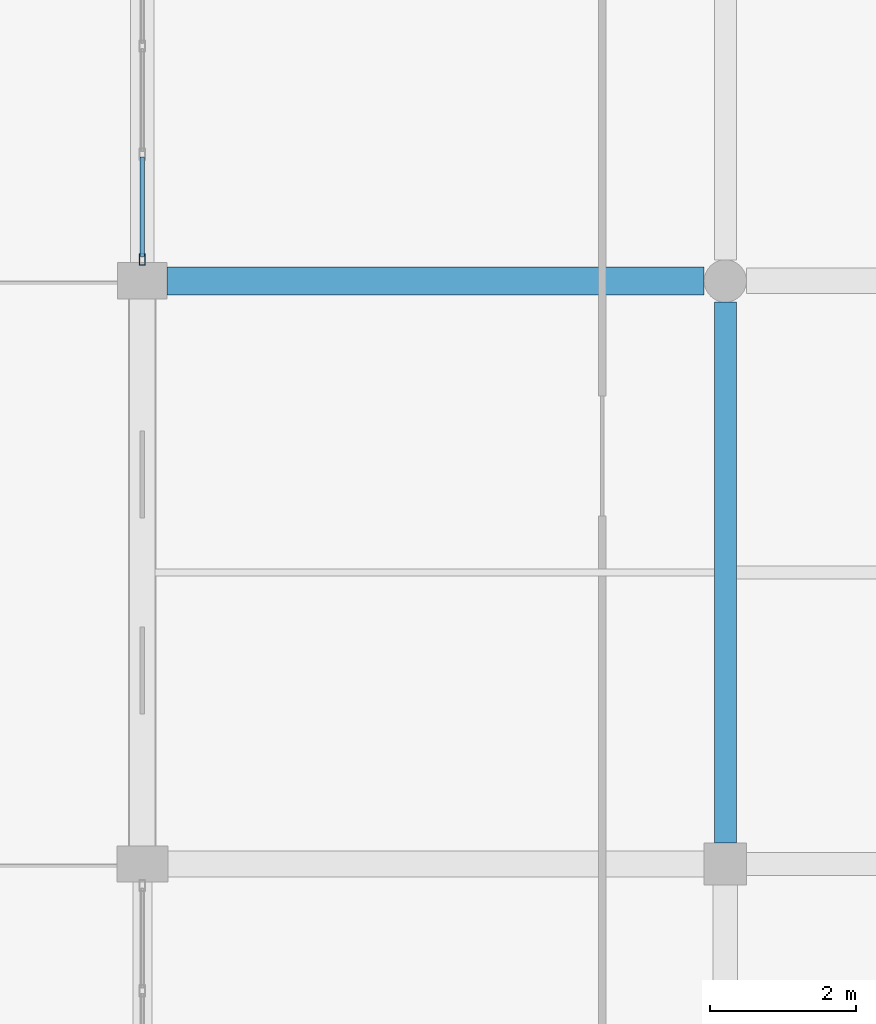
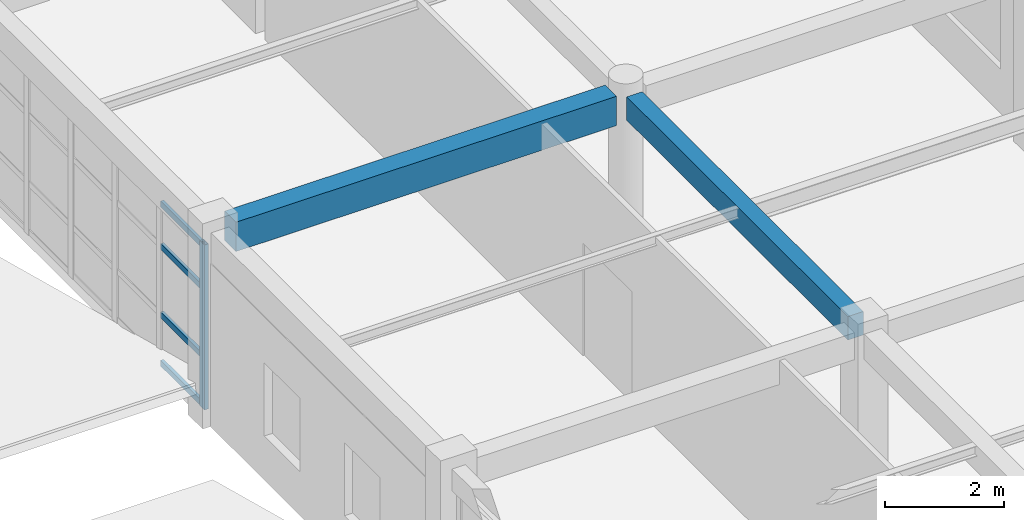
# One storey, part 31 of 121: 5 members, 2 beams, 1 element without a shape of its own.
"""IFC4 building model written with IfcOpenShell, lengths in metres."""

from ifc_helpers import new_model, si_unit, direction, frame, origin, origin_2d, place, context, subcontext, project, spatial, rectangle, hollow_rectangle, extrude, material, material_profile, profile_set, type_object, element, aggregate, save


model = new_model("IFC4")

# Units and contexts
model_context = context("Model", 3, precision=1e-05, world=origin(), true_north=direction((0.0, 1.0)))
body_context = subcontext(model_context, "Body", "Model", "MODEL_VIEW")
ifc_project = project(units=[si_unit("LENGTHUNIT", "METRE"), si_unit("AREAUNIT", "SQUARE_METRE"), si_unit("VOLUMEUNIT", "CUBIC_METRE"), si_unit("PLANEANGLEUNIT", "RADIAN"), si_unit("MASSUNIT", "GRAM", prefix="KILO")], contexts=[model_context])

# Site, building, storey
site_placement = place(None, origin())
site = spatial("IfcSite", under=ifc_project, at=site_placement, CompositionType="ELEMENT")
building_placement = place(site_placement, origin())
building = spatial("IfcBuilding", under=site, at=building_placement, Name="Kharva Crest Polytechnic", CompositionType="ELEMENT")
storey_placement = place(building_placement, frame((0.0, 0.0, 13.199951171875)))
storey = spatial("IfcBuildingStorey", under=building, at=storey_placement, Name="L03", CompositionType="ELEMENT", Elevation=13.199951171875)

# Beams
ifc_material_1 = material(Name="Concrete C35/45", Category="concrete")
ifc_material_profile_1 = material_profile(ifc_material_1, rectangle(XDim=0.300048828125, YDim=0.47998046875, at=origin_2d()), Name="RECT 300 X 480")
ifc_profile_set_1 = profile_set([ifc_material_profile_1], Name="Concrete C35/45")
beam_type_1 = type_object("IfcBeamType", Name="BM-RC-300X480", PredefinedType="BEAM", material=ifc_profile_set_1)
beam_1_placement = place(storey_placement, frame((40.0, 55.090087890625, 3.719970703125), z_axis=(0.0, 1.0, 0.0), x_axis=(-1.0, 0.0, 0.0)))
element("IfcBeam", 1, at=beam_1_placement, inside=storey, type_object=beam_type_1, Name="L03 Girder 6/H-J", PredefinedType="BEAM", context=body_context, shape_type="SweptSolid", body=[
    extrude(rectangle(XDim=0.300048828125, YDim=0.47998046875, at=origin_2d()), origin(), (0.0, 0.0, 1.0), 7.419921875),
])
ifc_material_profile_2 = material_profile(ifc_material_1, rectangle(XDim=0.3798828125, YDim=0.60009765625, at=origin_2d()), Name="RECT 380 X 600")
ifc_profile_set_2 = profile_set([ifc_material_profile_2], Name="Concrete C35/45")
beam_type_2 = type_object("IfcBeamType", Name="BM-RC-380X600", PredefinedType="BEAM", material=ifc_profile_set_2)
beam_2_placement = place(storey_placement, frame((32.340087890625, 62.800048828125, 3.66015625), z_axis=(1.0, 0.0, 0.0), x_axis=(0.0, 1.0, 0.0)))
element("IfcBeam", 2, at=beam_2_placement, inside=storey, type_object=beam_type_2, Name="L03 Beam J/5-6", PredefinedType="BEAM", context=body_context, shape_type="SweptSolid", body=[
    extrude(rectangle(XDim=0.3798828125, YDim=0.60009765625, at=origin_2d()), origin(), (0.0, 0.0, 1.0), 7.369873046875),
])

# Curtain wall, members
ifc_material_2 = material(Name="Tempered insulated glass", Category="glass")
curtain_wall_type = type_object("IfcCurtainWallType", Name="CW-SYS-COURT", PredefinedType="USERDEFINED", material=ifc_material_2)
curtain_wall_placement = place(storey_placement, origin())
curtain_wall = element("IfcCurtainWall", 3, at=curtain_wall_placement, inside=storey, type_object=curtain_wall_type, Name="L03 Glazed Curtain Wall CW-167", ObjectType="CURTAIN WALL", PredefinedType="USERDEFINED")
ifc_material_3 = material(Name="Steel S355", Category="steel")
ifc_material_profile_3 = material_profile(ifc_material_3, hollow_rectangle(XDim=0.080078125, YDim=0.159912109375, WallThickness=0.0048828125, at=origin_2d()), Name="RHS 160X80X5.0")
ifc_profile_set_3 = profile_set([ifc_material_profile_3], Name="Steel S355")
member_type_1 = type_object("IfcMemberType", Name="CWM-RHS160X80", PredefinedType="MULLION", material=ifc_profile_set_3)
member_1_placement = place(storey_placement, frame((32.0, 63.094970703125, 0.0), z_axis=(0.0, 0.0, 1.0), x_axis=(1.0, 0.0, 0.0)))
member_1 = element("IfcMember", 4, at=member_1_placement, type_object=member_type_1, Name="CW-167 mullion 6", PredefinedType="MULLION", context=body_context, shape_type="SweptSolid", body=[
    extrude(hollow_rectangle(XDim=0.080078125, YDim=0.159912109375, WallThickness=0.0048828125, at=origin_2d()), origin(), (0.0, 0.0, 1.0), 3.380126953125),
])
ifc_material_profile_4 = material_profile(ifc_material_3, hollow_rectangle(XDim=0.06005859375, YDim=0.1201171875, WallThickness=0.00390625, at=origin_2d()), Name="RHS 120X60X4.0")
ifc_profile_set_4 = profile_set([ifc_material_profile_4], Name="Steel S355")
member_type_2 = type_object("IfcMemberType", Name="CWT-RHS120X60", PredefinedType="USERDEFINED", material=ifc_profile_set_4)
member_2_placement = place(storey_placement, frame((32.0, 64.4990234375, 0.06005859375), z_axis=(0.0, -1.0, 0.0), x_axis=(1.0, 0.0, 0.0)))
member_2 = element("IfcMember", 5, at=member_2_placement, type_object=member_type_2, Name="CW-167 transom 5.1", ObjectType="TRANSOM", PredefinedType="USERDEFINED", context=body_context, shape_type="SweptSolid", body=[
    extrude(hollow_rectangle(XDim=0.06005859375, YDim=0.1201171875, WallThickness=0.00390625, at=origin_2d()), origin(), (0.0, 0.0, 1.0), 1.364013671875),
])
member_3_placement = place(storey_placement, frame((32.0, 64.4990234375, 1.050048828125), z_axis=(0.0, -1.0, 0.0), x_axis=(1.0, 0.0, 0.0)))
member_3 = element("IfcMember", 6, at=member_3_placement, type_object=member_type_2, Name="CW-167 transom 5.2", ObjectType="TRANSOM", PredefinedType="USERDEFINED", context=body_context, shape_type="SweptSolid", body=[
    extrude(hollow_rectangle(XDim=0.06005859375, YDim=0.1201171875, WallThickness=0.00390625, at=origin_2d()), origin(), (0.0, 0.0, 1.0), 1.364013671875),
])
member_4_placement = place(storey_placement, frame((32.0, 64.4990234375, 2.449951171875), z_axis=(0.0, -1.0, 0.0), x_axis=(1.0, 0.0, 0.0)))
member_4 = element("IfcMember", 7, at=member_4_placement, type_object=member_type_2, Name="CW-167 transom 5.3", ObjectType="TRANSOM", PredefinedType="USERDEFINED", context=body_context, shape_type="SweptSolid", body=[
    extrude(hollow_rectangle(XDim=0.06005859375, YDim=0.1201171875, WallThickness=0.00390625, at=origin_2d()), origin(), (0.0, 0.0, 1.0), 1.364013671875),
])
member_5_placement = place(storey_placement, frame((32.0, 64.4990234375, 3.320068359375), z_axis=(0.0, -1.0, 0.0), x_axis=(1.0, 0.0, 0.0)))
member_5 = element("IfcMember", 8, at=member_5_placement, type_object=member_type_2, Name="CW-167 transom 5.4", ObjectType="TRANSOM", PredefinedType="USERDEFINED", context=body_context, shape_type="SweptSolid", body=[
    extrude(hollow_rectangle(XDim=0.06005859375, YDim=0.1201171875, WallThickness=0.00390625, at=origin_2d()), origin(), (0.0, 0.0, 1.0), 1.364013671875),
])
aggregate(curtain_wall, [member_1, member_2, member_3, member_4, member_5])

save(model, "model.ifc")
